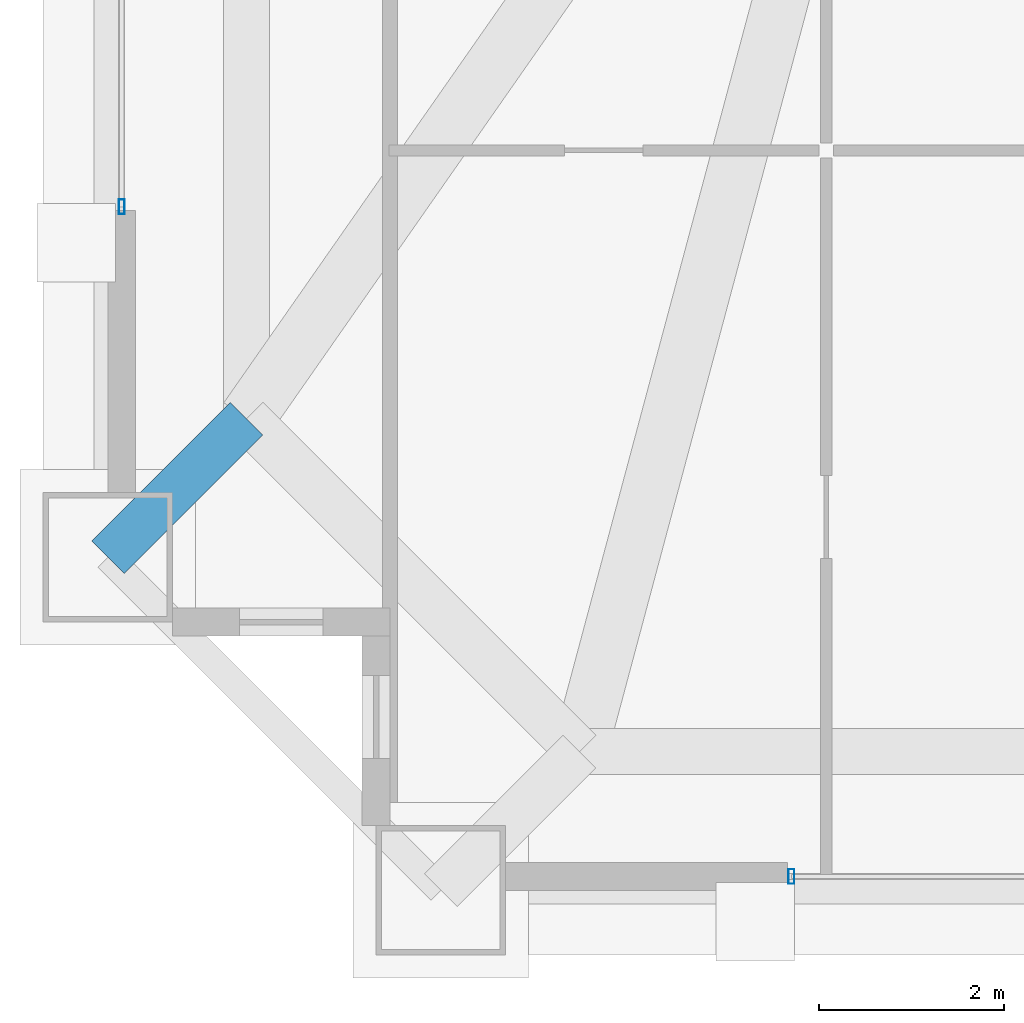
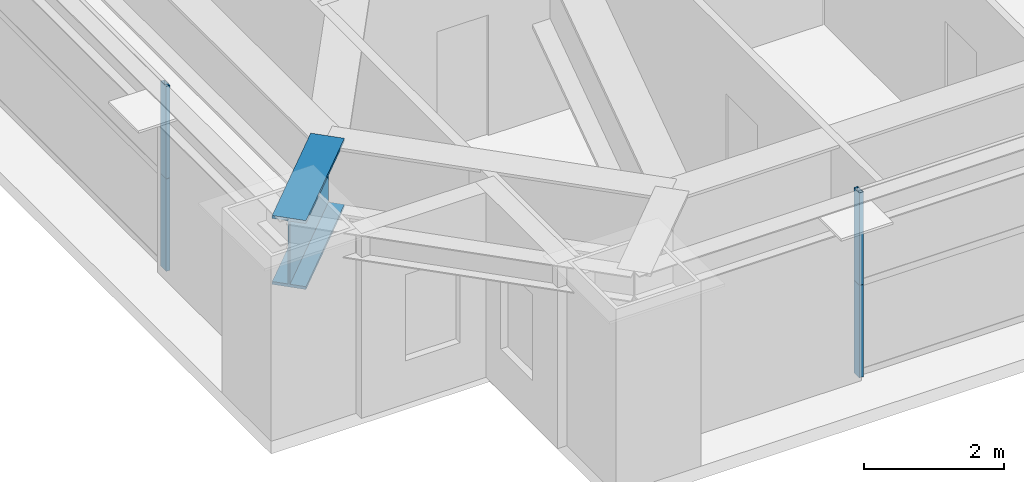
# One storey, part 4 of 39: 4 members, 1 beam, 2 elements without a shape of their own.
"""IFC4 building model written with IfcOpenShell, lengths in metres."""

import ifcopenshell
import ifcopenshell.guid

model = None  # the IFC model being written
_history = None  # IfcOwnerHistory: only IFC2X3 demands one
_inside = {}  # id of a spatial element -> (the spatial element, [elements in it])
_under = {}  # id of a project, library or spatial element -> (it, [spatial elements below it])
_declared = {}  # id of a project -> (the project, [libraries it declares])
_typed = {}  # id of a type object -> (the type object, [elements of that type])
_made_of = {}  # id of a material, layer set ... -> (it, [elements and type objects made of it])


def new_model(schema):
    """Start an empty IFC model of exactly this schema.

    Asked for "IFC4X3", IfcOpenShell would pick the latest addendum, in which some entities
    have other attributes; the version numbers below select the first issue.
    IFC2X3 requires an IfcOwnerHistory on every rooted entity: one is made here for all.
    """
    global model, _history
    if schema == "IFC4X3":
        model = ifcopenshell.file(schema_version=(4, 3, 0, 0))
    else:
        model = ifcopenshell.file(schema=schema)
    _inside.clear()
    _under.clear()
    _declared.clear()
    _typed.clear()
    _made_of.clear()
    _history = None
    if model.schema == "IFC2X3":
        org = make("IfcOrganization", Name="unknown")
        user = make(
            "IfcPersonAndOrganization",
            ThePerson=make("IfcPerson", FamilyName="unknown"),
            TheOrganization=org,
        )
        app = make(
            "IfcApplication",
            ApplicationDeveloper=org,
            Version="unknown",
            ApplicationFullName="unknown",
            ApplicationIdentifier="unknown",
        )
        _history = make(
            "IfcOwnerHistory",
            OwningUser=user,
            OwningApplication=app,
            ChangeAction="ADDED",
            CreationDate=0,
        )
    return model


def make(cls, **values):
    """One entity of the class cls with the attributes given. An attribute that is None is left unset."""
    return model.create_entity(
        cls, **{name: value for name, value in values.items() if value is not None}
    )


def rooted(cls, **values):
    """An entity with a GlobalId (a new one), such as an element, a storey or a relation."""
    return make(cls, GlobalId=ifcopenshell.guid.new(), OwnerHistory=_history, **values)


def si_unit(unit_type, name, prefix=None):
    """IfcSIUnit, for example si_unit("LENGTHUNIT", "METRE", prefix="MILLI")."""
    return make("IfcSIUnit", UnitType=unit_type, Prefix=prefix, Name=name)


def assignment(units):
    """IfcUnitAssignment: the units of a project."""
    return None if units is None else make("IfcUnitAssignment", Units=units)


def point(xyz):
    """IfcCartesianPoint."""
    return None if xyz is None else make("IfcCartesianPoint", Coordinates=xyz)


def direction(xyz):
    """IfcDirection."""
    return None if xyz is None else make("IfcDirection", DirectionRatios=xyz)


def frame(location, z_axis=None, x_axis=None):
    """IfcAxis2Placement3D, a coordinate frame: its origin and axes. An axis left out is left unset."""
    return make(
        "IfcAxis2Placement3D",
        Location=point(location),
        Axis=direction(z_axis),
        RefDirection=direction(x_axis),
    )


def frame_2d(location, x_axis=None):
    """IfcAxis2Placement2D, a coordinate frame in the plane: its origin and x axis."""
    return make(
        "IfcAxis2Placement2D", Location=point(location), RefDirection=direction(x_axis)
    )


def origin():
    """The frame at (0, 0, 0) with its axes left unset."""
    return frame((0.0, 0.0, 0.0))


def origin_2d():
    """The frame at (0, 0) in the plane with its x axis left unset."""
    return frame_2d((0.0, 0.0))


def place(relative_to, where):
    """IfcLocalPlacement: puts the frame where relative to a parent placement (None: the world)."""
    return make(
        "IfcLocalPlacement", PlacementRelTo=relative_to, RelativePlacement=where
    )


def context(
    kind, dimensions, precision=None, world=None, true_north=None, identifier=None
):
    """IfcGeometricRepresentationContext, for example the 3D "Model" context."""
    return make(
        "IfcGeometricRepresentationContext",
        ContextIdentifier=identifier,
        ContextType=kind,
        CoordinateSpaceDimension=dimensions,
        Precision=precision,
        WorldCoordinateSystem=world,
        TrueNorth=true_north,
    )


def subcontext(parent, identifier, kind, view, scale=None):
    """IfcGeometricRepresentationSubContext, for example "Body" below "Model"."""
    return make(
        "IfcGeometricRepresentationSubContext",
        ContextIdentifier=identifier,
        ContextType=kind,
        ParentContext=parent,
        TargetScale=scale,
        TargetView=view,
    )


def project(units=None, contexts=None):
    """IfcProject with its units and contexts."""
    return rooted(
        "IfcProject",
        Name="project",
        RepresentationContexts=contexts,
        UnitsInContext=assignment(units),
    )


def spatial(cls, under=None, at=None, **own):
    """A site, building, storey or space (cls), placed at a placement, below another one or the project."""
    s = rooted(cls, ObjectPlacement=at, **own)
    if under is not None:
        _under.setdefault(under.id(), (under, []))[1].append(s)
    return s


def profile(cls, at=None, kind="AREA", **sizes):
    """A parametric profile (cls). Its sizes go by their IFC names, for example OverallWidth=200.0."""
    return make(cls, ProfileType=kind, Position=at, **sizes)


def hollow_rectangle(**sizes):
    """IfcRectangleHollowProfileDef."""
    return profile("IfcRectangleHollowProfileDef", **sizes)


def i_section(**sizes):
    """IfcIShapeProfileDef."""
    return profile("IfcIShapeProfileDef", **sizes)


def extrude(swept, where, along, depth):
    """IfcExtrudedAreaSolid: the profile swept, set in the frame where, extruded along a direction by depth."""
    return make(
        "IfcExtrudedAreaSolid",
        SweptArea=swept,
        Position=where,
        ExtrudedDirection=direction(along),
        Depth=depth,
    )


def shape(context_of_items, identifier, shape_type, items):
    """IfcShapeRepresentation: the items that make up one representation, for example the "Body"."""
    return make(
        "IfcShapeRepresentation",
        ContextOfItems=context_of_items,
        RepresentationIdentifier=identifier,
        RepresentationType=shape_type,
        Items=items,
    )


def source(mapping_origin, context_of_items, identifier, shape_type, items):
    """IfcRepresentationMap: a shape defined once, which mapped items show again and again."""
    return make(
        "IfcRepresentationMap",
        MappingOrigin=mapping_origin,
        MappedRepresentation=shape(context_of_items, identifier, shape_type, items),
    )


def transform(
    local_origin,
    x_axis=None,
    y_axis=None,
    z_axis=None,
    scale=None,
    scale2=None,
    scale3=None,
    uniform=True,
):
    """IfcCartesianTransformationOperator3D, or its non-uniform kind. x_axis, y_axis, z_axis: its Axis1, 2, 3."""
    if uniform:
        return make(
            "IfcCartesianTransformationOperator3D",
            Axis1=direction(x_axis),
            Axis2=direction(y_axis),
            LocalOrigin=point(local_origin),
            Scale=scale,
            Axis3=direction(z_axis),
        )
    return make(
        "IfcCartesianTransformationOperator3DnonUniform",
        Axis1=direction(x_axis),
        Axis2=direction(y_axis),
        LocalOrigin=point(local_origin),
        Scale=scale,
        Axis3=direction(z_axis),
        Scale2=scale2,
        Scale3=scale3,
    )


def mapped(mapping_source, mapping_target):
    """IfcMappedItem: shows the shape of a source again, moved by a transform."""
    return make(
        "IfcMappedItem", MappingSource=mapping_source, MappingTarget=mapping_target
    )


def material(Name=None, Category=None):
    """IfcMaterial."""
    return make("IfcMaterial", Name=Name, Category=Category)


def layer(
    of_material, thickness, ventilated=None, Name=None, Category=None, Priority=None
):
    """IfcMaterialLayer: one layer of a wall or slab, of a material (None: an air gap)."""
    return make(
        "IfcMaterialLayer",
        Material=of_material,
        LayerThickness=thickness,
        IsVentilated=ventilated,
        Name=Name,
        Category=Category,
        Priority=Priority,
    )


def layer_set(layers, Name=None):
    """IfcMaterialLayerSet."""
    return make("IfcMaterialLayerSet", MaterialLayers=layers, LayerSetName=Name)


def material_profile(
    of_material, cross_section, Name=None, Category=None, Priority=None
):
    """IfcMaterialProfile: a cross section and its material."""
    return make(
        "IfcMaterialProfile",
        Name=Name,
        Material=of_material,
        Profile=cross_section,
        Priority=Priority,
        Category=Category,
    )


def profile_set(profiles, Name=None, composite=None):
    """IfcMaterialProfileSet."""
    return make(
        "IfcMaterialProfileSet",
        Name=Name,
        MaterialProfiles=profiles,
        CompositeProfile=composite,
    )


def made_of(thing, what):
    """Note that an element or type object is made of a material, layer set ...; save() writes the relation."""
    if what is not None:
        _made_of.setdefault(what.id(), (what, []))[1].append(thing)
    return thing


def type_object(cls, material=None, **own):
    """A type object (cls), such as IfcWallType, which elements share."""
    return made_of(rooted(cls, **own), material)


def element(
    cls,
    number,
    at=None,
    inside=None,
    cuts=None,
    type_object=None,
    material=None,
    context=None,
    identifier="Body",
    shape_type=None,
    held_by="IfcProductDefinitionShape",
    body=None,
    shapes=None,
    **own,
):
    """One element of the class cls, such as IfcWall. Its Tag is "e" and its number.

    at: its placement. inside: the storey or other place that contains it. cuts: it is an
    opening in that element (IfcRelVoidsElement). A single representation is given by context,
    identifier, shape_type and body (its items); several are given by shapes. held_by: the class
    of the entity that holds the representations. save() writes the other relations.
    """
    e = rooted(cls, Tag="e%d" % number, ObjectPlacement=at, **own)
    if body is not None:
        shapes = [shape(context, identifier, shape_type, body)]
    if shapes is not None:
        e.Representation = make(held_by, Representations=shapes)
    if inside is not None:
        _inside.setdefault(inside.id(), (inside, []))[1].append(e)
    if cuts is not None:
        rooted(
            "IfcRelVoidsElement", RelatingBuildingElement=cuts, RelatedOpeningElement=e
        )
    if type_object is not None:
        _typed.setdefault(type_object.id(), (type_object, []))[1].append(e)
    return made_of(e, material)


def aggregate(whole, parts):
    """IfcRelAggregates: a whole, such as a stair, and the parts it consists of."""
    return rooted("IfcRelAggregates", RelatingObject=whole, RelatedObjects=parts)


def save(model, path):
    """Write the relations noted so far, then the file.

    IfcRelAggregates (storeys below a building ...), IfcRelContainedInSpatialStructure (elements
    in a storey), IfcRelDefinesByType, IfcRelAssociatesMaterial and IfcRelDeclares: one each for
    every whole, place, type object, material and project.
    """
    for whole, parts in _under.values():
        aggregate(whole, parts)
    for where, things in _inside.values():
        rooted(
            "IfcRelContainedInSpatialStructure",
            RelatedElements=things,
            RelatingStructure=where,
        )
    for kind, things in _typed.values():
        rooted("IfcRelDefinesByType", RelatedObjects=things, RelatingType=kind)
    for what, things in _made_of.values():
        rooted("IfcRelAssociatesMaterial", RelatedObjects=things, RelatingMaterial=what)
    for by, libraries in _declared.values():
        rooted("IfcRelDeclares", RelatingContext=by, RelatedDefinitions=libraries)
    model.write(path)


model = new_model("IFC4")

# Units and contexts
model_context = context("Model", 3, precision=1e-05, world=origin(), true_north=direction((0.0, 1.0)))
body_context = subcontext(model_context, "Body", "Model", "MODEL_VIEW")
ifc_project = project(units=[si_unit("LENGTHUNIT", "METRE"), si_unit("AREAUNIT", "SQUARE_METRE"), si_unit("VOLUMEUNIT", "CUBIC_METRE"), si_unit("PLANEANGLEUNIT", "RADIAN"), si_unit("MASSUNIT", "GRAM", prefix="KILO"), si_unit("THERMODYNAMICTEMPERATUREUNIT", "KELVIN"), si_unit("POWERUNIT", "WATT")], contexts=[model_context])

# Site, building, storey
site_placement = place(None, origin())
site = spatial("IfcSite", under=ifc_project, at=site_placement, CompositionType="ELEMENT")
building_placement = place(site_placement, origin())
building = spatial("IfcBuilding", under=site, at=building_placement, Name="Yuzanri Waterfront Tower", CompositionType="ELEMENT")
storey_placement = place(building_placement, frame((0.0, 0.0, 216.0)))
storey = spatial("IfcBuildingStorey", under=building, at=storey_placement, Name="L57", CompositionType="ELEMENT", Elevation=216.0)

# Beam
ifc_material_1 = material(Name="Steel Q420GJC", Category="steel")
ifc_material_profile_1 = material_profile(ifc_material_1, i_section(OverallWidth=0.5, OverallDepth=1.199951171875, WebThickness=0.028076171875, FlangeThickness=0.050048828125, at=origin_2d()), Name="PG 1200x500x28x50")
ifc_profile_set_1 = profile_set([ifc_material_profile_1], Name="Steel Q420GJC")
beam_type = type_object("IfcBeamType", Name="Setback Transfer Girder Q420GJC PG 1200x500", PredefinedType="USERDEFINED", material=ifc_profile_set_1)
shared_shape_1 = source(origin(), body_context, "Body", "SweptSolid", [
    extrude(i_section(OverallWidth=0.5, OverallDepth=1.199951171875, WebThickness=0.028076171875, FlangeThickness=0.050048828125, at=origin_2d()), origin(), (0.0, 0.0, 1.0), 2.121337890625),
])
beam_placement = place(storey_placement, frame((16.39990234375, 8.800048828125, 2.6201171875), z_axis=(-0.707106781187, -0.707106781187, 0.0), x_axis=(0.707106781187, -0.707106781187, 0.0)))
element("IfcBeam", 1, at=beam_placement, inside=storey, type_object=beam_type, Name="L57 Setback Step Transfer W1", ObjectType="GIRDER", PredefinedType="USERDEFINED", context=body_context, shape_type="MappedRepresentation", body=[
    mapped(shared_shape_1, transform((0.0, 0.0, 0.0), scale=1.0)),
])

# Curtain wall, members
ifc_material_2 = material(Name="Anodized Architectural Bronze", Category="metal")
ifc_layer = layer(ifc_material_2, 0.159912109375)
ifc_layer_set = layer_set([ifc_layer], Name="Anodized Architectural Bronze")
curtain_wall_type = type_object("IfcCurtainWallType", Name="Anodized Bronze Mid-Rise Residential Acoustic Unitized Curtain Wall 7200", PredefinedType="NOTDEFINED", material=ifc_layer_set)
curtain_wall_1_placement = place(storey_placement, origin())
curtain_wall_1 = element("IfcCurtainWall", 2, at=curtain_wall_1_placement, inside=storey, type_object=curtain_wall_type, Name="L57 Curtain Wall CW-L57-SL", PredefinedType="NOTDEFINED")
ifc_material_3 = material(Name="Anodized Architectural Bronze", Category="metal")
ifc_material_profile_2 = material_profile(ifc_material_3, hollow_rectangle(XDim=0.06494140625, YDim=0.159912109375, WallThickness=0.00341796875, at=origin_2d()), Name="CWM 65x160")
ifc_profile_set_2 = profile_set([ifc_material_profile_2], Name="Anodized Architectural Bronze")
member_type = type_object("IfcMemberType", Name="Anodized Bronze Upper-Zone Curtain-Wall Mullion 65x160", PredefinedType="MULLION", material=ifc_profile_set_2)
shared_shape_2 = source(origin(), body_context, "Body", "SweptSolid", [
    extrude(hollow_rectangle(XDim=0.06494140625, YDim=0.159912109375, WallThickness=0.00341796875, at=origin_2d()), origin(), (0.0, 0.0, 1.0), 1.60791015625),
])
member_1_placement = place(storey_placement, frame((22.2900390625, 3.85009765625, 0.0), z_axis=(0.0, 0.0, 1.0), x_axis=(1.0, 0.0, 0.0)))
member_1 = element("IfcMember", 3, at=member_1_placement, type_object=member_type, Name="CW-L57-SL Lower Mullion 00", PredefinedType="MULLION", context=body_context, shape_type="MappedRepresentation", body=[
    mapped(shared_shape_2, transform((0.0, 0.0, 0.0), scale=1.0)),
])
member_2_placement = place(storey_placement, frame((22.2900390625, 3.85009765625, 1.612060546875), z_axis=(0.0, 0.0, 1.0), x_axis=(1.0, 0.0, 0.0)))
member_2 = element("IfcMember", 4, at=member_2_placement, type_object=member_type, Name="CW-L57-SL Upper Mullion 00", PredefinedType="MULLION", context=body_context, shape_type="MappedRepresentation", body=[
    mapped(shared_shape_2, transform((0.0, 0.0, 0.0), scale=1.0)),
])
aggregate(curtain_wall_1, [member_1, member_2])

curtain_wall_2_placement = place(storey_placement, origin())
curtain_wall_2 = element("IfcCurtainWall", 5, at=curtain_wall_2_placement, inside=storey, type_object=curtain_wall_type, Name="L57 Curtain Wall CW-L57-WL", PredefinedType="NOTDEFINED")
member_3_placement = place(storey_placement, frame((15.050048828125, 11.090087890625, 0.0), z_axis=(0.0, 0.0, 1.0), x_axis=(1.0, 0.0, 0.0)))
member_3 = element("IfcMember", 6, at=member_3_placement, type_object=member_type, Name="CW-L57-WL Lower Mullion 00", PredefinedType="MULLION", context=body_context, shape_type="MappedRepresentation", body=[
    mapped(shared_shape_2, transform((0.0, 0.0, 0.0), scale=1.0)),
])
member_4_placement = place(storey_placement, frame((15.050048828125, 11.090087890625, 1.612060546875), z_axis=(0.0, 0.0, 1.0), x_axis=(1.0, 0.0, 0.0)))
member_4 = element("IfcMember", 7, at=member_4_placement, type_object=member_type, Name="CW-L57-WL Upper Mullion 00", PredefinedType="MULLION", context=body_context, shape_type="MappedRepresentation", body=[
    mapped(shared_shape_2, transform((0.0, 0.0, 0.0), scale=1.0)),
])
aggregate(curtain_wall_2, [member_3, member_4])

save(model, "model.ifc")
